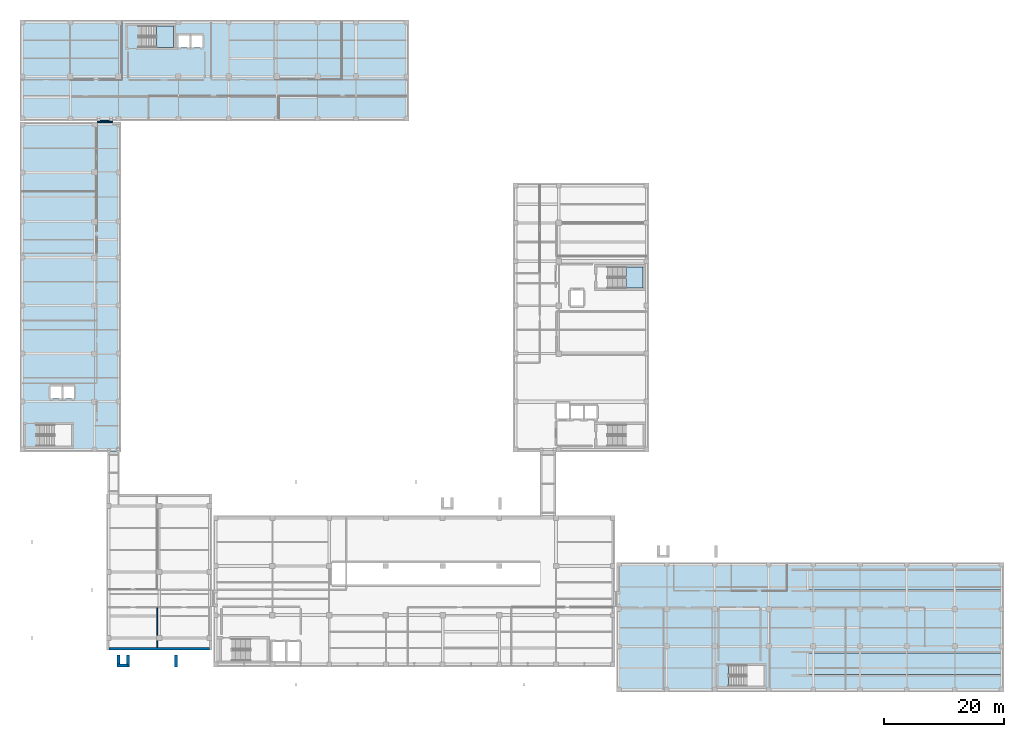
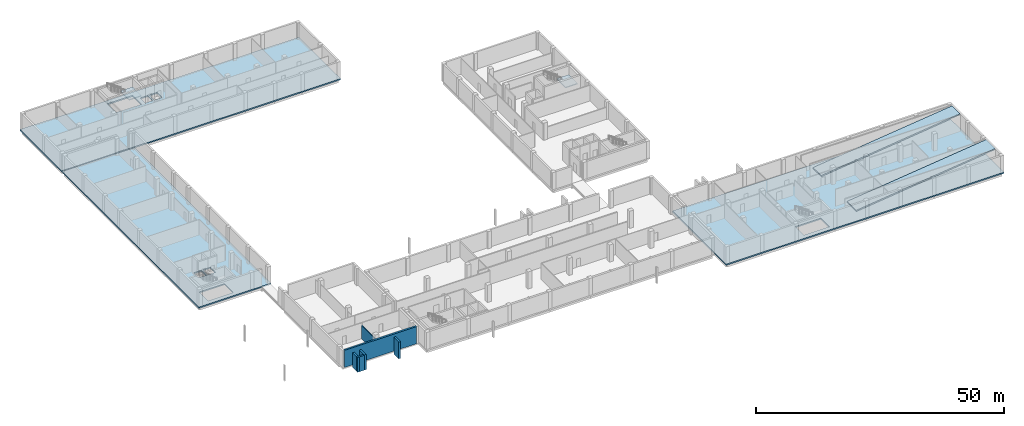
# One storey, part 14 of 31: 8 slabs, 6 walls, 2 elements without a shape of their own.
"""IFC4 building model written with IfcOpenShell, lengths in metres."""

from ifc_helpers import new_model, si_unit, direction, frame, frame_2d, origin, place, context, subcontext, project, spatial, polyline, rectangle, outline, extrude, material, layer, layer_set, type_object, element, aggregate, save


model = new_model("IFC4")

# Units and contexts
model_context = context("Model", 3, precision=1e-05, world=origin(), true_north=direction((0.0, 1.0)))
body_context = subcontext(model_context, "Body", "Model", "MODEL_VIEW")
ifc_project = project(units=[si_unit("LENGTHUNIT", "METRE"), si_unit("AREAUNIT", "SQUARE_METRE"), si_unit("VOLUMEUNIT", "CUBIC_METRE"), si_unit("PLANEANGLEUNIT", "RADIAN"), si_unit("MASSUNIT", "GRAM", prefix="KILO")], contexts=[model_context])

# Site, building, storey
site_placement = place(None, origin())
site = spatial("IfcSite", under=ifc_project, at=site_placement, CompositionType="ELEMENT")
building_placement = place(site_placement, origin())
building = spatial("IfcBuilding", under=site, at=building_placement, Name="Qalavern Law Courts", CompositionType="ELEMENT")
storey_placement = place(building_placement, frame((0.0, 0.0, -4.199951171875)))
storey = spatial("IfcBuildingStorey", under=building, at=storey_placement, Name="B1", CompositionType="ELEMENT", Elevation=-4.199951171875)

# Stair, slab
ifc_material_1 = material(Name="Concrete C35/45", Category="concrete")
stair_type = type_object("IfcStairType", Name="INT-STAIR-1700", PredefinedType="HALF_TURN_STAIR", material=ifc_material_1)
stair_1_placement = place(storey_placement, origin())
stair_1 = element("IfcStair", 1, at=stair_1_placement, inside=storey, type_object=stair_type, Name="B1 ST-K1B", PredefinedType="HALF_TURN_STAIR")
ifc_layer_1 = layer(ifc_material_1, 0.199951171875)
ifc_layer_set_1 = layer_set([ifc_layer_1], Name="Concrete C35/45")
slab_type_1 = type_object("IfcSlabType", Name="INT-LANDING-200", PredefinedType="LANDING", material=ifc_layer_set_1)
slab_1_placement = place(storey_placement, frame((0.0, 0.0, 1.89990234375)))
slab_1 = element("IfcSlab", 2, at=slab_1_placement, type_object=slab_type_1, Name="ST-K1B landing 1", PredefinedType="LANDING", context=body_context, shape_type="SweptSolid", body=[
    extrude(outline(polyline([(102.97998046875, 68.300048828125), (105.800048828125, 68.300048828125), (105.800048828125, 71.85009765625), (102.97998046875, 71.85009765625), (102.97998046875, 68.300048828125)])), origin(), (0.0, 0.0, 1.0), 0.199951171875),
])
aggregate(stair_1, [slab_1])

stair_2_placement = place(storey_placement, origin())
stair_2 = element("IfcStair", 3, at=stair_2_placement, inside=storey, type_object=stair_type, Name="B1 ST-K3", PredefinedType="HALF_TURN_STAIR")
slab_2_placement = place(storey_placement, frame((0.0, 0.0, 1.89990234375)))
slab_2 = element("IfcSlab", 4, at=slab_2_placement, type_object=slab_type_1, Name="ST-K3 landing 1", PredefinedType="LANDING", context=body_context, shape_type="SweptSolid", body=[
    extrude(outline(polyline([(24.780029296875, 108.449951171875), (27.60009765625, 108.449951171875), (27.60009765625, 112.0), (24.780029296875, 112.0), (24.780029296875, 108.449951171875)])), origin(), (0.0, 0.0, 1.0), 0.199951171875),
])
aggregate(stair_2, [slab_2])

# Slabs
ifc_layer_2 = layer(ifc_material_1, 0.320068359375)
ifc_layer_set_2 = layer_set([ifc_layer_2], Name="Concrete C35/45")
slab_type_2 = type_object("IfcSlabType", Name="STR-SLB-B1-320", PredefinedType="FLOOR", material=ifc_layer_set_2)
slab_3_placement = place(storey_placement, frame((0.0, 0.0, -0.320068359375)))
element("IfcSlab", 5, at=slab_3_placement, inside=storey, type_object=slab_type_2, Name="V3 floor slab B1", PredefinedType="FLOOR", context=body_context, shape_type="SweptSolid", body=[
    extrude(outline(polyline([(2.0, 41.02001953125), (18.800048828125, 41.02001953125), (18.800048828125, 95.97998046875), (2.0, 95.97998046875), (2.0, 41.02001953125)]), holes=[polyline([(4.739990234375, 42.0), (10.60009765625, 42.0), (10.60009765625, 45.550048828125), (4.739990234375, 45.550048828125), (4.739990234375, 42.0)]), polyline([(7.10009765625, 49.949951171875), (8.89990234375, 49.949951171875), (8.89990234375, 51.949951171875), (7.10009765625, 51.949951171875), (7.10009765625, 49.949951171875)]), polyline([(9.199951171875, 49.949951171875), (11.0, 49.949951171875), (11.0, 51.949951171875), (9.199951171875, 51.949951171875), (9.199951171875, 49.949951171875)])]), origin(), (0.0, 0.0, 1.0), 0.320068359375),
])
slab_4_placement = place(storey_placement, frame((0.0, 0.0, -0.320068359375)))
element("IfcSlab", 6, at=slab_4_placement, inside=storey, type_object=slab_type_2, Name="V5 floor slab B1", PredefinedType="FLOOR", context=body_context, shape_type="SweptSolid", body=[
    extrude(outline(polyline([(2.0, 96.199951171875), (66.800048828125, 96.199951171875), (66.800048828125, 113.0), (2.0, 113.0), (2.0, 96.199951171875)]), holes=[polyline([(21.739990234375, 108.449951171875), (27.60009765625, 108.449951171875), (27.60009765625, 112.0), (21.739990234375, 112.0), (21.739990234375, 108.449951171875)]), polyline([(28.449951171875, 108.449951171875), (30.25, 108.449951171875), (30.25, 110.449951171875), (28.449951171875, 110.449951171875), (28.449951171875, 108.449951171875)]), polyline([(30.60009765625, 108.449951171875), (32.39990234375, 108.449951171875), (32.39990234375, 110.449951171875), (30.60009765625, 110.449951171875), (30.60009765625, 108.449951171875)])]), origin(), (0.0, 0.0, 1.0), 0.320068359375),
])
slab_5_placement = place(storey_placement, frame((0.0, 0.0, -0.320068359375)))
element("IfcSlab", 7, at=slab_5_placement, inside=storey, type_object=slab_type_2, Name="V6 floor slab B1", PredefinedType="FLOOR", context=body_context, shape_type="SweptSolid", body=[
    extrude(outline(polyline([(101.419921875, 1.0), (166.0, 1.0), (166.0, 22.60009765625), (101.419921875, 22.60009765625), (101.419921875, 1.0)]), holes=[polyline([(120.090087890625, 2.0), (126.0, 2.0), (126.0, 5.449951171875), (120.090087890625, 5.449951171875), (120.090087890625, 2.0)])]), origin(), (0.0, 0.0, 1.0), 0.320068359375),
])
slab_6_placement = place(storey_placement, frame((0.0, 0.0, -0.320068359375)))
element("IfcSlab", 8, at=slab_6_placement, inside=storey, type_object=slab_type_2, Name="Bridge BR-V3-V5 deck slab B1", PredefinedType="FLOOR", context=body_context, shape_type="SweptSolid", body=[
    extrude(outline(polyline([(14.85009765625, 95.97998046875), (17.449951171875, 95.97998046875), (17.449951171875, 96.199951171875), (14.85009765625, 96.199951171875), (14.85009765625, 95.97998046875)])), origin(), (0.0, 0.0, 1.0), 0.320068359375),
])
ifc_layer_3 = layer(ifc_material_1, 0.300048828125)
ifc_layer_set_3 = layer_set([ifc_layer_3], Name="Concrete C35/45")
slab_type_3 = type_object("IfcSlabType", Name="STR-SLB-VRMP300", PredefinedType="FLOOR", material=ifc_layer_set_3)
slab_7_placement = place(storey_placement, frame((133.300048828125, 17.97998046875, 0.320068359375), z_axis=(-0.119189877392, 0.0, 0.992871478655), x_axis=(0.992871478655, 0.0, 0.119189877392)))
element("IfcSlab", 9, at=slab_7_placement, inside=storey, type_object=slab_type_3, Name="Car Park Vehicle Ramp VG-01 Upper structural slab (R-VG1)", PredefinedType="FLOOR", context=body_context, shape_type="SweptSolid", body=[
    extrude(outline(polyline([(0.0, 0.0), (32.55211681893216, 0.0), (32.55211681893216, 3.239990234375001), (0.0, 3.239990234375001), (0.0, 0.0)])), origin(), (0.0, 0.0, -1.0), 0.300048828125),
])
slab_8_placement = place(storey_placement, frame((133.300048828125, 3.8798828125, 0.320068359375), z_axis=(-0.119189877392, 0.0, 0.992871478655), x_axis=(0.992871478655, 0.0, 0.119189877392)))
element("IfcSlab", 10, at=slab_8_placement, inside=storey, type_object=slab_type_3, Name="Secure Sallyport Vehicle Ramp VG-02 structural slab (R-VG2)", PredefinedType="FLOOR", context=body_context, shape_type="SweptSolid", body=[
    extrude(outline(polyline([(0.0, 0.0), (32.55211681893216, 0.0), (32.55211681893216, 3.640136718750001), (0.0, 3.640136718750001), (0.0, 0.0)])), origin(), (0.0, 0.0, -1.0), 0.300048828125),
])

# Walls
ifc_layer_4 = layer(ifc_material_1, 0.429931640625)
ifc_layer_set_4 = layer_set([ifc_layer_4], Name="Concrete C35/45")
wall_type_1 = type_object("IfcWallType", Name="ENV-EW-RET430", PredefinedType="SOLIDWALL", material=ifc_layer_set_4)
wall_1_placement = place(storey_placement, frame((16.824951171875, 8.215087890625, 0.0), z_axis=(0.0, 0.0, 1.0), x_axis=(1.0, 0.0, 0.0)))
element("IfcWall", 11, at=wall_1_placement, inside=storey, type_object=wall_type_1, Name="V1 basement retaining wall B1 south", PredefinedType="SOLIDWALL", context=body_context, shape_type="SweptSolid", body=[
    extrude(rectangle(XDim=16.75, YDim=0.429931640625, at=frame_2d((8.375, 0.0))), origin(), (0.0, 0.0, 1.0), 4.199951171875),
])
ifc_material_2 = material(Name="Gypsum acoustic stud partition")
ifc_layer_5 = layer(ifc_material_2, 0.18603515625)
ifc_layer_set_5 = layer_set([ifc_layer_5], Name="Gypsum acoustic stud partition")
wall_type_2 = type_object("IfcWallType", Name="INT-PW-186", PredefinedType="PARTITIONING", material=ifc_layer_set_5)
wall_2_placement = place(storey_placement, frame((24.864990234375, 8.43994140625, 0.0), z_axis=(0.0, 0.0, 1.0), x_axis=(0.0, 1.0, 0.0)))
element("IfcWall", 12, at=wall_2_placement, inside=storey, type_object=wall_type_2, Name="Central Security Archive cross partition B1 east", PredefinedType="PARTITIONING", context=body_context, shape_type="SweptSolid", body=[
    extrude(rectangle(XDim=6.587158203125, YDim=0.18603515625, at=frame_2d((3.29345703125, 0.0))), origin(), (0.0, 0.0, 1.0), 3.2900390625),
])
ifc_layer_6 = layer(ifc_material_1, 0.449951171875)
ifc_layer_set_6 = layer_set([ifc_layer_6], Name="Concrete C35/45")
wall_type_3 = type_object("IfcWallType", Name="STR-ABUT-450", PredefinedType="SOLIDWALL", material=ifc_layer_set_6)
wall_3_placement = place(storey_placement, frame((18.425048828125, 5.199951171875, 0.0), z_axis=(0.0, 0.0, 1.0), x_axis=(0.0, 1.0, 0.0)))
element("IfcWall", 13, at=wall_3_placement, inside=storey, type_object=wall_type_3, Name="Pedestrian ramp 1 foundation abutment wall 1 B1", PredefinedType="SOLIDWALL", context=body_context, shape_type="SweptSolid", body=[
    extrude(rectangle(XDim=2.0, YDim=0.449951171875, at=frame_2d((1.0, 0.0))), origin(), (0.0, 0.0, 1.0), 3.635009765625),
])
wall_4_placement = place(storey_placement, frame((20.0, 5.199951171875, 0.0), z_axis=(0.0, 0.0, 1.0), x_axis=(0.0, 1.0, 0.0)))
element("IfcWall", 14, at=wall_4_placement, inside=storey, type_object=wall_type_3, Name="Pedestrian ramp 1 foundation abutment wall 2 B1", PredefinedType="SOLIDWALL", context=body_context, shape_type="SweptSolid", body=[
    extrude(rectangle(XDim=2.0, YDim=0.449951171875, at=frame_2d((1.0, 0.0))), origin(), (0.0, 0.0, 1.0), 3.75),
])
wall_5_placement = place(storey_placement, frame((28.0, 5.199951171875, 0.0), z_axis=(0.0, 0.0, 1.0), x_axis=(0.0, 1.0, 0.0)))
element("IfcWall", 15, at=wall_5_placement, inside=storey, type_object=wall_type_3, Name="Pedestrian ramp 1 foundation abutment wall 3 B1", PredefinedType="SOLIDWALL", context=body_context, shape_type="SweptSolid", body=[
    extrude(rectangle(XDim=2.0, YDim=0.449951171875, at=frame_2d((1.0, 0.0))), origin(), (0.0, 0.0, 1.0), 4.099853515625),
])
wall_6_placement = place(storey_placement, frame((18.199951171875, 5.425048828125, 0.0), z_axis=(0.0, 0.0, 1.0), x_axis=(1.0, 0.0, 0.0)))
element("IfcWall", 16, at=wall_6_placement, inside=storey, type_object=wall_type_3, Name="Pedestrian ramp 1 landing side wall B1", PredefinedType="SOLIDWALL", context=body_context, shape_type="SweptSolid", body=[
    extrude(rectangle(XDim=1.800048828125, YDim=0.449951171875, at=frame_2d((0.89990234375, 0.0))), origin(), (0.0, 0.0, 1.0), 3.635009765625),
])

save(model, "model.ifc")
